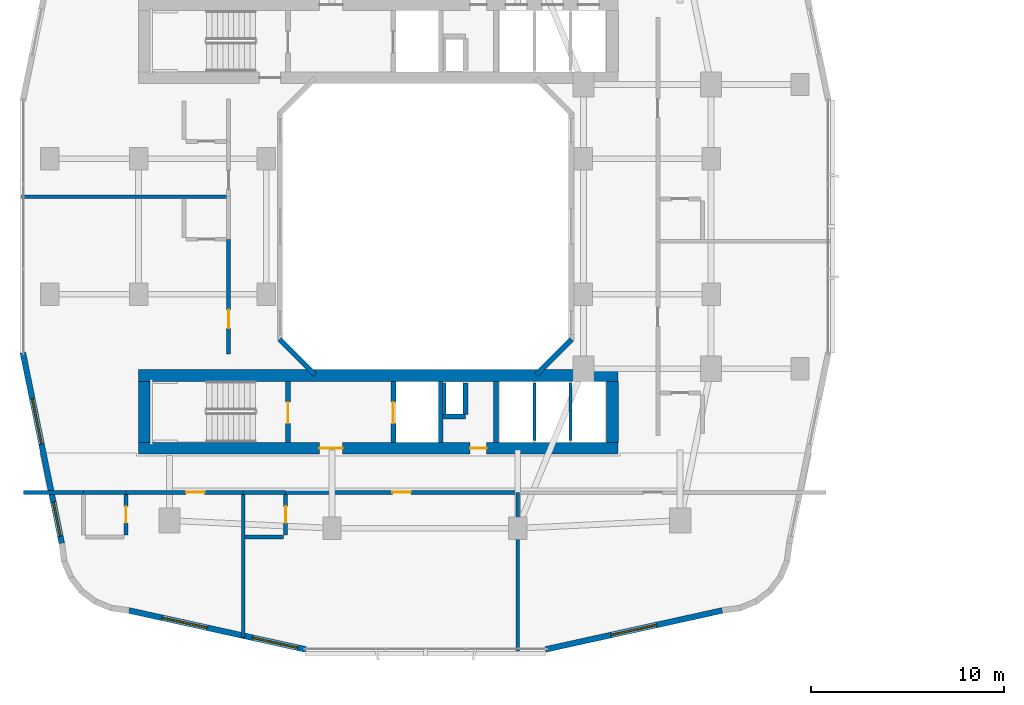
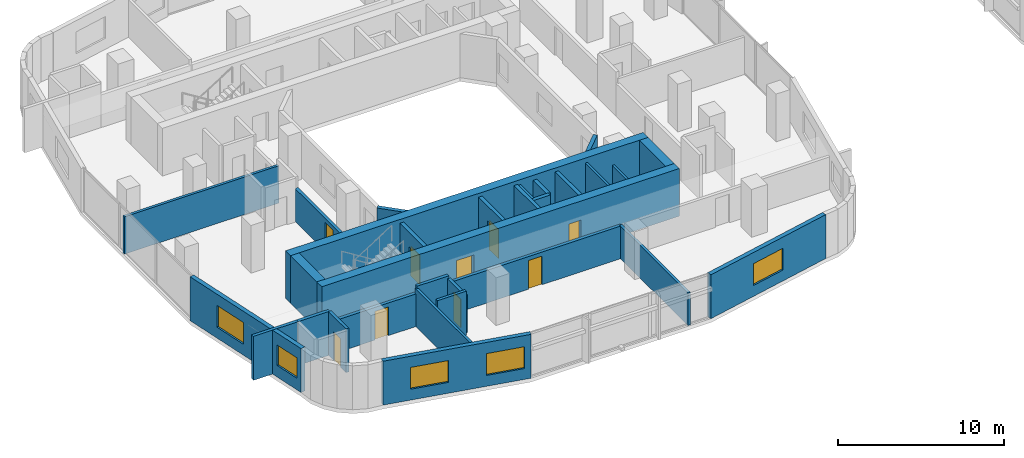
# One storey, part 13 of 26: 30 walls, 9 doors, 5 windows, 14 openings.
"""IFC4 building model written with IfcOpenShell, lengths in metres."""

from ifc_helpers import new_model, si_unit, derived_unit, direction, frame, frame_2d, origin, place, context, subcontext, project, spatial, rectangle, extrude, material, layer, layer_set, type_object, element, fill, save


model = new_model("IFC4")

# Units and contexts
model_context = context("Model", 3, precision=1e-05, world=origin(), true_north=direction((0.0, 1.0)))
body_context = subcontext(model_context, "Body", "Model", "MODEL_VIEW")
ifc_project = project(units=[si_unit("LENGTHUNIT", "METRE"), si_unit("AREAUNIT", "SQUARE_METRE"), si_unit("VOLUMEUNIT", "CUBIC_METRE"), si_unit("PLANEANGLEUNIT", "RADIAN"), si_unit("MASSUNIT", "GRAM", prefix="KILO"), derived_unit("THERMALTRANSMITTANCEUNIT", [(si_unit("POWERUNIT", "WATT"), 1), (si_unit("LENGTHUNIT", "METRE"), -2), (si_unit("THERMODYNAMICTEMPERATUREUNIT", "KELVIN"), -1)])], contexts=[model_context])

# Site, building, storey
site_placement = place(None, origin())
site = spatial("IfcSite", under=ifc_project, at=site_placement, CompositionType="ELEMENT")
building_placement = place(site_placement, origin())
building = spatial("IfcBuilding", under=site, at=building_placement, Name="Kivonza Crest Hotel", CompositionType="ELEMENT")
storey_placement = place(building_placement, frame((0.0, 0.0, 45.0)))
storey = spatial("IfcBuildingStorey", under=building, at=storey_placement, Name="L11", CompositionType="ELEMENT", Elevation=45.0)

# Walls
ifc_material_1 = material(Name="High-density acoustic masonry inter-tenancy wall", Category="masonry")
ifc_layer_1 = layer(ifc_material_1, 0.179931640625)
ifc_layer_set_1 = layer_set([ifc_layer_1], Name="High-density acoustic masonry inter-tenancy wall")
wall_type_1 = type_object("IfcWallType", Name="WL-ACOU-180", PredefinedType="SOLIDWALL", material=ifc_layer_set_1)
wall_1_placement = place(storey_placement, frame((11.60009765625, 3.756103515625, 0.0), z_axis=(0.0, 0.0, 1.0), x_axis=(0.0, 1.0, 0.0)))
element("IfcWall", 1, at=wall_1_placement, inside=storey, type_object=wall_type_1, Name="L11 interior partition WA-L11-T1S-DIV1", PredefinedType="SOLIDWALL", context=body_context, shape_type="SweptSolid", body=[
    extrude(rectangle(XDim=7.493896484375, YDim=0.179931640625, at=frame_2d((3.7470703125, 0.0))), origin(), (0.0, 0.0, 1.0), 2.7451171875),
])
wall_2_placement = place(storey_placement, frame((25.800048828125, 3.06005859375, 0.0), z_axis=(0.0, 0.0, 1.0), x_axis=(0.0, 1.0, 0.0)))
element("IfcWall", 2, at=wall_2_placement, inside=storey, type_object=wall_type_1, Name="L11 interior partition WA-L11-T1S-DIV2", PredefinedType="SOLIDWALL", context=body_context, shape_type="SweptSolid", body=[
    extrude(rectangle(XDim=8.18994140625, YDim=0.179931640625, at=frame_2d((4.094970703125, 0.0))), origin(), (0.0, 0.0, 1.0), 2.39501953125),
])
wall_3_placement = place(storey_placement, frame((0.139892578125, 26.5400390625, 0.0), z_axis=(0.0, 0.0, 1.0), x_axis=(1.0, 0.0, 0.0)))
element("IfcWall", 3, at=wall_3_placement, inside=storey, type_object=wall_type_1, Name="L11 interior partition WA-L11-T1W-DIV1", PredefinedType="SOLIDWALL", context=body_context, shape_type="SweptSolid", body=[
    extrude(rectangle(XDim=10.710205078125, YDim=0.179931640625, at=frame_2d((5.35498046875, 0.0))), origin(), (0.0, 0.0, 1.0), 2.7451171875),
])
ifc_material_2 = material(Name="Autoclaved aerated concrete blockwork", Category="masonry")
ifc_layer_2 = layer(ifc_material_2, 0.219970703125)
ifc_layer_set_2 = layer_set([ifc_layer_2], Name="Autoclaved aerated concrete blockwork")
wall_type_2 = type_object("IfcWallType", Name="WL-ACOU-220", PredefinedType="SOLIDWALL", material=ifc_layer_set_2)
wall_4_placement = place(storey_placement, frame((0.239990234375, 11.25, 0.0), z_axis=(0.0, 0.0, 1.0), x_axis=(1.0, 0.0, 0.0)))
element("IfcWall", 4, at=wall_4_placement, inside=storey, type_object=wall_type_2, Name="L11 interior partition WA-L11-S03-XCORR", PredefinedType="SOLIDWALL", context=body_context, shape_type="SweptSolid", body=[
    extrude(rectangle(XDim=3.110107421875, YDim=0.219970703125, at=frame_2d((1.55517578125, 0.0))), origin(), (0.0, 0.0, 1.0), 3.219970703125),
])
wall_5_placement = place(storey_placement, frame((3.35009765625, 11.25, 0.0), z_axis=(0.0, 0.0, 1.0), x_axis=(1.0, 0.0, 0.0)))
element("IfcWall", 5, at=wall_5_placement, inside=storey, type_object=wall_type_2, Name="L11 interior partition WA-L11-S03-BCORR", PredefinedType="SOLIDWALL", context=body_context, shape_type="SweptSolid", body=[
    extrude(rectangle(XDim=2.199951171875, YDim=0.219970703125, at=frame_2d((1.10009765625, 0.0))), origin(), (0.0, 0.0, 1.0), 3.219970703125),
])

# Wall, opening, door
wall_6_placement = place(storey_placement, frame((5.550048828125, 11.25, 0.0), z_axis=(0.0, 0.0, 1.0), x_axis=(1.0, 0.0, 0.0)))
wall_6 = element("IfcWall", 6, at=wall_6_placement, inside=storey, type_object=wall_type_2, Name="L11 interior partition WA-L11-S03-MCORR", PredefinedType="SOLIDWALL", context=body_context, shape_type="SweptSolid", body=[
    extrude(rectangle(XDim=6.050048828125, YDim=0.219970703125, at=frame_2d((3.02490234375, 0.0))), origin(), (0.0, 0.0, 1.0), 2.39501953125),
])
opening_1_placement = place(wall_6_placement, frame((3.110107421875, 0.0, 0.0)))
opening_1 = element("IfcOpeningElement", 7, at=opening_1_placement, cuts=wall_6, Name="Opening DU-60", PredefinedType="OPENING", context=body_context, shape_type="SweptSolid", body=[
    extrude(rectangle(XDim=0.949951171875, YDim=2.10009765625, at=frame_2d((0.47509765625, 1.050048828125))), frame((0.0, 0.1201171875, 0.0), z_axis=(0.0, -1.0, 0.0), x_axis=(1.0, 0.0, 0.0)), (0.0, 0.0, 1.0), 0.239990234375),
])
ifc_material_3 = material(Name="Hardwood timber oak", Category="wood")
door_type_1 = type_object("IfcDoorType", Name="DR-UNIT-950", OperationType="NOTDEFINED", PredefinedType="DOOR", material=ifc_material_3)
door_1_placement = place(opening_1_placement, frame((0.949951171875, 0.0, 0.0), z_axis=(0.0, 0.0, 1.0), x_axis=(-1.0, 0.0, 0.0)))
door_1 = element("IfcDoor", 8, at=door_1_placement, inside=storey, type_object=door_type_1, Name="L11 S03 guest unit entrance fire door", OperationType="SINGLE_SWING_LEFT", OverallHeight=2.10009765625, OverallWidth=0.949951171875, PredefinedType="DOOR", context=body_context, shape_type="SweptSolid", body=[
    extrude(rectangle(XDim=0.949951171875, YDim=2.10009765625, at=frame_2d((0.47509765625, 1.050048828125))), frame((0.0, 0.02490234375, 0.0), z_axis=(0.0, -1.0, 0.0), x_axis=(1.0, 0.0, 0.0)), (0.0, 0.0, 1.0), 0.050048828125),
])
fill(opening_1, door_1)

# Wall
wall_7_placement = place(storey_placement, frame((11.60009765625, 11.25, 0.0), z_axis=(0.0, 0.0, 1.0), x_axis=(1.0, 0.0, 0.0)))
element("IfcWall", 9, at=wall_7_placement, inside=storey, type_object=wall_type_2, Name="L11 interior partition WA-L11-S04-BCORR", PredefinedType="SOLIDWALL", context=body_context, shape_type="SweptSolid", body=[
    extrude(rectangle(XDim=2.199951171875, YDim=0.219970703125, at=frame_2d((1.10009765625, 0.0))), origin(), (0.0, 0.0, 1.0), 2.925048828125),
])

# Wall, opening, door
wall_8_placement = place(storey_placement, frame((13.800048828125, 11.25, 0.0), z_axis=(0.0, 0.0, 1.0), x_axis=(1.0, 0.0, 0.0)))
wall_8 = element("IfcWall", 10, at=wall_8_placement, inside=storey, type_object=wall_type_2, Name="L11 interior partition WA-L11-S04-MCORR", PredefinedType="SOLIDWALL", context=body_context, shape_type="SweptSolid", body=[
    extrude(rectangle(XDim=12.0, YDim=0.219970703125, at=frame_2d((6.0, 0.0))), origin(), (0.0, 0.0, 1.0), 2.39501953125),
])
opening_2_placement = place(wall_8_placement, frame((5.52490234375, 0.0, 0.0)))
opening_2 = element("IfcOpeningElement", 11, at=opening_2_placement, cuts=wall_8, Name="Opening DU-60", PredefinedType="OPENING", context=body_context, shape_type="SweptSolid", body=[
    extrude(rectangle(XDim=0.949951171875, YDim=2.10009765625, at=frame_2d((0.47509765625, 1.050048828125))), frame((0.0, 0.1201171875, 0.0), z_axis=(0.0, -1.0, 0.0), x_axis=(1.0, 0.0, 0.0)), (0.0, 0.0, 1.0), 0.239990234375),
])
door_2_placement = place(opening_2_placement, frame((0.949951171875, 0.0, 0.0), z_axis=(0.0, 0.0, 1.0), x_axis=(-1.0, 0.0, 0.0)))
door_2 = element("IfcDoor", 12, at=door_2_placement, inside=storey, type_object=door_type_1, Name="L11 S04 guest unit entrance fire door", OperationType="SINGLE_SWING_RIGHT", OverallHeight=2.10009765625, OverallWidth=0.949951171875, PredefinedType="DOOR", context=body_context, shape_type="SweptSolid", body=[
    extrude(rectangle(XDim=0.949951171875, YDim=2.10009765625, at=frame_2d((0.47509765625, 1.050048828125))), frame((0.0, 0.02490234375, 0.0), z_axis=(0.0, -1.0, 0.0), x_axis=(1.0, 0.0, 0.0)), (0.0, 0.0, 1.0), 0.050048828125),
])
fill(opening_2, door_2)

wall_9_placement = place(storey_placement, frame((10.85009765625, 18.39990234375, 0.0), z_axis=(0.0, 0.0, 1.0), x_axis=(0.0, 1.0, 0.0)))
wall_9 = element("IfcWall", 13, at=wall_9_placement, inside=storey, type_object=wall_type_2, Name="L11 interior partition WA-L11-W05-MCORR", PredefinedType="SOLIDWALL", context=body_context, shape_type="SweptSolid", body=[
    extrude(rectangle(XDim=5.940185546875, YDim=0.219970703125, at=frame_2d((2.97021484375, 0.0))), origin(), (0.0, 0.0, 1.0), 2.39501953125),
])
opening_3_placement = place(wall_9_placement, frame((1.344970703125, 0.0, 0.0)))
opening_3 = element("IfcOpeningElement", 14, at=opening_3_placement, cuts=wall_9, Name="Opening DU-60", PredefinedType="OPENING", context=body_context, shape_type="SweptSolid", body=[
    extrude(rectangle(XDim=0.949951171875, YDim=2.10009765625, at=frame_2d((0.47509765625, 1.050048828125))), frame((0.0, 0.1201171875, 0.0), z_axis=(0.0, -1.0, 0.0), x_axis=(1.0, 0.0, 0.0)), (0.0, 0.0, 1.0), 0.239990234375),
])
door_3_placement = place(opening_3_placement, origin())
door_3 = element("IfcDoor", 15, at=door_3_placement, inside=storey, type_object=door_type_1, Name="L11 W05 guest unit entrance fire door", OperationType="SINGLE_SWING_LEFT", OverallHeight=2.10009765625, OverallWidth=0.949951171875, PredefinedType="DOOR", context=body_context, shape_type="SweptSolid", body=[
    extrude(rectangle(XDim=0.949951171875, YDim=2.10009765625, at=frame_2d((0.47509765625, 1.050048828125))), frame((0.0, 0.02490234375, 0.0), z_axis=(0.0, -1.0, 0.0), x_axis=(1.0, 0.0, 0.0)), (0.0, 0.0, 1.0), 0.050048828125),
])
fill(opening_3, door_3)

# Wall, openings, doors
ifc_material_4 = material(Name="Concrete C60/75", Category="concrete")
ifc_layer_3 = layer(ifc_material_4, 0.60009765625)
ifc_layer_set_3 = layer_set([ifc_layer_3], Name="Concrete C60/75")
wall_type_3 = type_object("IfcWallType", Name="WL-CORE-600", PredefinedType="SHEAR", material=ifc_layer_set_3)
wall_10_placement = place(storey_placement, frame((6.199951171875, 13.5400390625, 0.0), z_axis=(0.0, 0.0, 1.0), x_axis=(1.0, 0.0, 0.0)))
wall_10 = element("IfcWall", 16, at=wall_10_placement, inside=storey, type_object=wall_type_3, Name="Core wall T1-S South L11", PredefinedType="SHEAR", context=body_context, shape_type="SweptSolid", body=[
    extrude(rectangle(XDim=24.800048828125, YDim=0.60009765625, at=frame_2d((12.39990234375, 0.0))), origin(), (0.0, 0.0, 1.0), 3.5),
])
opening_4_placement = place(wall_10_placement, frame((9.35009765625, 0.0, 0.0)))
opening_4 = element("IfcOpeningElement", 17, at=opening_4_placement, cuts=wall_10, Name="Opening DF-60", PredefinedType="OPENING", context=body_context, shape_type="SweptSolid", body=[
    extrude(rectangle(XDim=1.199951171875, YDim=2.14990234375, at=frame_2d((0.60009765625, 1.074951171875))), frame((0.0, 0.31005859375, 0.0), z_axis=(0.0, -1.0, 0.0), x_axis=(1.0, 0.0, 0.0)), (0.0, 0.0, 1.0), 0.6201171875),
])
opening_5_placement = place(wall_10_placement, frame((17.139892578125, 0.0, 0.0)))
opening_5 = element("IfcOpeningElement", 18, at=opening_5_placement, cuts=wall_10, Name="Opening DF-60R", PredefinedType="OPENING", context=body_context, shape_type="SweptSolid", body=[
    extrude(rectangle(XDim=0.85009765625, YDim=2.10009765625, at=frame_2d((0.425048828125, 1.050048828125))), frame((0.0, 0.31005859375, 0.0), z_axis=(0.0, -1.0, 0.0), x_axis=(1.0, 0.0, 0.0)), (0.0, 0.0, 1.0), 0.6201171875),
])
door_type_2 = type_object("IfcDoorType", Name="DR-FD60-1200", OperationType="NOTDEFINED", PredefinedType="DOOR", material=ifc_material_3)
door_4_placement = place(opening_4_placement, frame((1.199951171875, 0.0, 0.0), z_axis=(0.0, 0.0, 1.0), x_axis=(-1.0, 0.0, 0.0)))
door_4 = element("IfcDoor", 19, at=door_4_placement, inside=storey, type_object=door_type_2, Name="L11 T1-S firefighting lobby fire door", OperationType="SINGLE_SWING_LEFT", OverallHeight=2.14990234375, OverallWidth=1.199951171875, PredefinedType="DOOR", context=body_context, shape_type="SweptSolid", body=[
    extrude(rectangle(XDim=1.199951171875, YDim=2.14990234375, at=frame_2d((0.60009765625, 1.074951171875))), frame((0.0, 0.02490234375, 0.0), z_axis=(0.0, -1.0, 0.0), x_axis=(1.0, 0.0, 0.0)), (0.0, 0.0, 1.0), 0.050048828125),
])
fill(opening_4, door_4)
door_type_3 = type_object("IfcDoorType", Name="DR-FD60-850", OperationType="NOTDEFINED", PredefinedType="DOOR", material=ifc_material_3)
door_5_placement = place(opening_5_placement, frame((0.85009765625, 0.0, 0.0), z_axis=(0.0, 0.0, 1.0), x_axis=(-1.0, 0.0, 0.0)))
door_5 = element("IfcDoor", 20, at=door_5_placement, inside=storey, type_object=door_type_3, Name="L11 T1-S core room door", OperationType="SINGLE_SWING_RIGHT", OverallHeight=2.10009765625, OverallWidth=0.85009765625, PredefinedType="DOOR", context=body_context, shape_type="SweptSolid", body=[
    extrude(rectangle(XDim=0.85009765625, YDim=2.10009765625, at=frame_2d((0.425048828125, 1.050048828125))), frame((0.0, 0.02490234375, 0.0), z_axis=(0.0, -1.0, 0.0), x_axis=(1.0, 0.0, 0.0)), (0.0, 0.0, 1.0), 0.050048828125),
])
fill(opening_5, door_5)

# Walls
wall_11_placement = place(storey_placement, frame((6.199951171875, 17.300048828125, 0.0), z_axis=(0.0, 0.0, 1.0), x_axis=(1.0, 0.0, 0.0)))
element("IfcWall", 21, at=wall_11_placement, inside=storey, type_object=wall_type_3, Name="Core wall T1-S North L11", PredefinedType="SHEAR", context=body_context, shape_type="SweptSolid", body=[
    extrude(rectangle(XDim=24.800048828125, YDim=0.60009765625, at=frame_2d((12.39990234375, 0.0))), origin(), (0.0, 0.0, 1.0), 3.5),
])
for number, where, z_axis, x_axis, name in (
    (22, (6.5, 13.840087890625, 0.0), (0.0, 0.0, 1.0), (0.0, 1.0, 0.0), "Core wall T1-S West L11"),
    (23, (30.699951171875, 13.840087890625, 0.0), (0.0, 0.0, 1.0), (0.0, 1.0, 0.0), "Core wall T1-S East L11"),
):
    element("IfcWall", number, at=place(storey_placement, frame(where, z_axis=z_axis, x_axis=x_axis)), inside=storey, type_object=wall_type_3, Name=name, PredefinedType="SHEAR", context=body_context, shape_type="SweptSolid", body=[
        extrude(rectangle(XDim=3.159912109375, YDim=0.60009765625, at=frame_2d((1.580078125, 0.0))), origin(), (0.0, 0.0, 1.0), 3.5),
    ])
ifc_material_5 = material(Name="Precast concrete C40/50", Category="concrete")
ifc_layer_4 = layer(ifc_material_5, 0.260009765625)
ifc_layer_set_4 = layer_set([ifc_layer_4], Name="Precast concrete C40/50")
wall_type_4 = type_object("IfcWallType", Name="WL-EXT-260", PredefinedType="STANDARD", material=ifc_layer_set_4)
wall_12_placement = place(storey_placement, frame((26.761962890625, 17.337890625, 0.0), z_axis=(0.0, 0.0, 1.0), x_axis=(0.707059717605, 0.707153841636, 0.0)))
element("IfcWall", 24, at=wall_12_placement, inside=storey, type_object=wall_type_4, Name="L11 T1 light-well exterior wall 2", PredefinedType="STANDARD", context=body_context, shape_type="SweptSolid", body=[
    extrude(rectangle(XDim=2.59375, YDim=0.260009765625, at=frame_2d((1.296875, 0.0))), origin(), (0.0, 0.0, 1.0), 3.219970703125),
])
wall_13_placement = place(storey_placement, frame((13.48388671875, 19.172119140625, 0.0), z_axis=(0.0, 0.0, 1.0), x_axis=(0.707106781187, -0.707106781187, 0.0)))
element("IfcWall", 25, at=wall_13_placement, inside=storey, type_object=wall_type_4, Name="L11 T1 light-well exterior wall 8", PredefinedType="STANDARD", context=body_context, shape_type="SweptSolid", body=[
    extrude(rectangle(XDim=2.593994140625, YDim=0.260009765625, at=frame_2d((1.296875, 0.0))), origin(), (0.0, 0.0, 1.0), 3.219970703125),
])

# Wall, openings, windows
ifc_layer_5 = layer(ifc_material_5, 0.300048828125)
ifc_layer_set_5 = layer_set([ifc_layer_5], Name="Precast concrete C40/50")
wall_type_5 = type_object("IfcWallType", Name="WL-EXT-300", PredefinedType="STANDARD", material=ifc_layer_set_5)
wall_14_placement = place(storey_placement, frame((5.7041015625, 5.14794921875, 0.0), z_axis=(0.0, 0.0, 1.0), x_axis=(0.9765437942, -0.215318875183, 0.0)))
wall_14 = element("IfcWall", 26, at=wall_14_placement, inside=storey, type_object=wall_type_5, Name="L11 T1 exterior insulated wall 7", PredefinedType="STANDARD", context=body_context, shape_type="SweptSolid", body=[
    extrude(rectangle(XDim=9.353271484375, YDim=0.300048828125, at=frame_2d((4.6767578125, 0.0))), origin(), (0.0, 0.0, 1.0), 3.219970703125),
])
opening_6_placement = place(wall_14_placement, frame((1.75390625, 0.0, 0.800048828125)))
opening_6 = element("IfcOpeningElement", 27, at=opening_6_placement, cuts=wall_14, Name="Opening WN-05", PredefinedType="OPENING", context=body_context, shape_type="SweptSolid", body=[
    extrude(rectangle(XDim=2.39990234375, YDim=1.60009765625, at=frame_2d((1.199951171875, 0.800048828125))), frame((0.0, 0.16015625, 0.0), z_axis=(0.0, -1.0, 0.0), x_axis=(1.0, 0.0, 0.0)), (0.0, 0.0, 1.0), 0.320068359375),
])
opening_7_placement = place(wall_14_placement, frame((6.534912109375, 0.0, 0.800048828125)))
opening_7 = element("IfcOpeningElement", 28, at=opening_7_placement, cuts=wall_14, Name="Opening WN-05", PredefinedType="OPENING", context=body_context, shape_type="SweptSolid", body=[
    extrude(rectangle(XDim=2.39990234375, YDim=1.60009765625, at=frame_2d((1.199951171875, 0.800048828125))), frame((0.0, 0.16015625, 0.0), z_axis=(0.0, -1.0, 0.0), x_axis=(1.0, 0.0, 0.0)), (0.0, 0.0, 1.0), 0.320068359375),
])
ifc_material_6 = material(Name="Thermally broken bronze aluminium and low-E double glazing", Category="aluminium")
window_type_1 = type_object("IfcWindowType", Name="WN-240x160", PartitioningType="TRIPLE_PANEL_VERTICAL", PredefinedType="WINDOW", material=ifc_material_6)
window_1_placement = place(opening_6_placement, origin())
window_1 = element("IfcWindow", 29, at=window_1_placement, inside=storey, type_object=window_type_1, Name="L11 T1 facade window 7 bay 1", OverallHeight=1.60009765625, OverallWidth=2.39990234375, PartitioningType="SINGLE_PANEL", PredefinedType="WINDOW", context=body_context, shape_type="SweptSolid", body=[
    extrude(rectangle(XDim=2.39990234375, YDim=1.60009765625, at=frame_2d((1.199951171875, 0.800048828125))), frame((0.0, 0.030029296875, 0.0), z_axis=(0.0, -1.0, 0.0), x_axis=(1.0, 0.0, 0.0)), (0.0, 0.0, 1.0), 0.06005859375),
])
fill(opening_6, window_1)
window_2_placement = place(opening_7_placement, origin())
window_2 = element("IfcWindow", 30, at=window_2_placement, inside=storey, type_object=window_type_1, Name="L11 T1 facade window 7 bay 2", OverallHeight=1.60009765625, OverallWidth=2.39990234375, PartitioningType="SINGLE_PANEL", PredefinedType="WINDOW", context=body_context, shape_type="SweptSolid", body=[
    extrude(rectangle(XDim=2.39990234375, YDim=1.60009765625, at=frame_2d((1.199951171875, 0.800048828125))), frame((0.0, 0.030029296875, 0.0), z_axis=(0.0, -1.0, 0.0), x_axis=(1.0, 0.0, 0.0)), (0.0, 0.0, 1.0), 0.06005859375),
])
fill(opening_7, window_2)

# Wall, opening, window
wall_15_placement = place(storey_placement, frame((27.241943359375, 3.134033203125, 0.0), z_axis=(0.0, 0.0, 1.0), x_axis=(0.97654500432, 0.215313386808, 0.0)))
wall_15 = element("IfcWall", 31, at=wall_15_placement, inside=storey, type_object=wall_type_5, Name="L11 T1 exterior insulated wall 9", PredefinedType="STANDARD", context=body_context, shape_type="SweptSolid", body=[
    extrude(rectangle(XDim=9.353515625, YDim=0.300048828125, at=frame_2d((4.6767578125, 0.0))), origin(), (0.0, 0.0, 1.0), 3.219970703125),
])
opening_8_placement = place(wall_15_placement, frame((3.47705078125, 0.0, 0.800048828125)))
opening_8 = element("IfcOpeningElement", 32, at=opening_8_placement, cuts=wall_15, Name="Opening WN-05", PredefinedType="OPENING", context=body_context, shape_type="SweptSolid", body=[
    extrude(rectangle(XDim=2.39990234375, YDim=1.60009765625, at=frame_2d((1.199951171875, 0.800048828125))), frame((0.0, 0.16015625, 0.0), z_axis=(0.0, -1.0, 0.0), x_axis=(1.0, 0.0, 0.0)), (0.0, 0.0, 1.0), 0.320068359375),
])
window_3_placement = place(opening_8_placement, origin())
window_3 = element("IfcWindow", 33, at=window_3_placement, inside=storey, type_object=window_type_1, Name="L11 T1 facade window 9", OverallHeight=1.60009765625, OverallWidth=2.39990234375, PartitioningType="SINGLE_PANEL", PredefinedType="WINDOW", context=body_context, shape_type="SweptSolid", body=[
    extrude(rectangle(XDim=2.39990234375, YDim=1.60009765625, at=frame_2d((1.199951171875, 0.800048828125))), frame((0.0, 0.030029296875, 0.0), z_axis=(0.0, -1.0, 0.0), x_axis=(1.0, 0.0, 0.0)), (0.0, 0.0, 1.0), 0.06005859375),
])
fill(opening_8, window_3)

# Wall, openings, windows
wall_16_placement = place(storey_placement, frame((0.216064453125, 18.48388671875, 0.0), z_axis=(0.0, 0.0, 1.0), x_axis=(0.199990901713, -0.979797754249, 0.0)))
wall_16 = element("IfcWall", 34, at=wall_16_placement, inside=storey, type_object=wall_type_5, Name="L11 T1 exterior insulated wall 36", PredefinedType="STANDARD", context=body_context, shape_type="SweptSolid", body=[
    extrude(rectangle(XDim=10.065185546875, YDim=0.300048828125, at=frame_2d((5.03271484375, 0.0))), origin(), (0.0, 0.0, 1.0), 3.219970703125),
])
opening_9_placement = place(wall_16_placement, frame((2.428955078125, 0.0, 0.800048828125)))
opening_9 = element("IfcOpeningElement", 35, at=opening_9_placement, cuts=wall_16, Name="Opening WN-05", PredefinedType="OPENING", context=body_context, shape_type="SweptSolid", body=[
    extrude(rectangle(XDim=2.39990234375, YDim=1.60009765625, at=frame_2d((1.199951171875, 0.800048828125))), frame((0.0, 0.16015625, 0.0), z_axis=(0.0, -1.0, 0.0), x_axis=(1.0, 0.0, 0.0)), (0.0, 0.0, 1.0), 0.320068359375),
])
opening_10_placement = place(wall_16_placement, frame((7.886962890625, 0.0, 0.85009765625)))
opening_10 = element("IfcOpeningElement", 36, at=opening_10_placement, cuts=wall_16, Name="Opening WN-03", PredefinedType="OPENING", context=body_context, shape_type="SweptSolid", body=[
    extrude(rectangle(XDim=1.800048828125, YDim=1.5, at=frame_2d((0.89990234375, 0.75))), frame((0.0, 0.16015625, 0.0), z_axis=(0.0, -1.0, 0.0), x_axis=(1.0, 0.0, 0.0)), (0.0, 0.0, 1.0), 0.320068359375),
])
window_type_2 = type_object("IfcWindowType", Name="WN-180x150", PartitioningType="DOUBLE_PANEL_VERTICAL", PredefinedType="WINDOW", material=ifc_material_6)
window_4_placement = place(opening_10_placement, origin())
window_4 = element("IfcWindow", 37, at=window_4_placement, inside=storey, type_object=window_type_2, Name="L11 T1 facade window 36 bay 2", OverallHeight=1.5, OverallWidth=1.800048828125, PartitioningType="SINGLE_PANEL", PredefinedType="WINDOW", context=body_context, shape_type="SweptSolid", body=[
    extrude(rectangle(XDim=1.800048828125, YDim=1.5, at=frame_2d((0.89990234375, 0.75))), frame((0.0, 0.030029296875, 0.0), z_axis=(0.0, -1.0, 0.0), x_axis=(1.0, 0.0, 0.0)), (0.0, 0.0, 1.0), 0.06005859375),
])
fill(opening_10, window_4)
window_5_placement = place(opening_9_placement, origin())
window_5 = element("IfcWindow", 38, at=window_5_placement, inside=storey, type_object=window_type_1, Name="L11 T1 facade window 36 bay 1", OverallHeight=1.60009765625, OverallWidth=2.39990234375, PartitioningType="SINGLE_PANEL", PredefinedType="WINDOW", context=body_context, shape_type="SweptSolid", body=[
    extrude(rectangle(XDim=2.39990234375, YDim=1.60009765625, at=frame_2d((1.199951171875, 0.800048828125))), frame((0.0, 0.030029296875, 0.0), z_axis=(0.0, -1.0, 0.0), x_axis=(1.0, 0.0, 0.0)), (0.0, 0.0, 1.0), 0.06005859375),
])
fill(opening_9, window_5)

# Walls
ifc_material_7 = material(Name="Concrete blockwork fire-compartment wall", Category="masonry")
ifc_layer_6 = layer(ifc_material_7, 0.25)
ifc_layer_set_6 = layer_set([ifc_layer_6], Name="Concrete blockwork fire-compartment wall")
wall_type_6 = type_object("IfcWallType", Name="WL-FIRE-250", PredefinedType="SOLIDWALL", material=ifc_layer_set_6)
wall_17_placement = place(storey_placement, frame((23.10009765625, 15.280029296875, 0.0), z_axis=(0.0, 0.0, 1.0), x_axis=(0.0, 1.0, 0.0)))
element("IfcWall", 39, at=wall_17_placement, inside=storey, type_object=wall_type_6, Name="L11 interior partition WA-L11-T1-S-MEPR-E", PredefinedType="SOLIDWALL", context=body_context, shape_type="SweptSolid", body=[
    extrude(rectangle(XDim=1.619873046875, YDim=0.25, at=frame_2d((0.81005859375, 0.0))), origin(), (0.0, 0.0, 1.0), 3.219970703125),
])
wall_18_placement = place(storey_placement, frame((21.949951171875, 15.179931640625, 0.0), z_axis=(0.0, 0.0, 1.0), x_axis=(1.0, 0.0, 0.0)))
element("IfcWall", 40, at=wall_18_placement, inside=storey, type_object=wall_type_6, Name="L11 interior partition WA-L11-T1-S-MEPR-H", PredefinedType="SOLIDWALL", context=body_context, shape_type="SweptSolid", body=[
    extrude(rectangle(XDim=1.150146484375, YDim=0.25, at=frame_2d((0.5751953125, 0.0))), origin(), (0.0, 0.0, 1.0), 3.219970703125),
])
ifc_material_8 = material(Name="Twin-stud acoustic gypsum board partition", Category="gypsum")
ifc_layer_7 = layer(ifc_material_8, 0.14990234375)
ifc_layer_set_7 = layer_set([ifc_layer_7], Name="Twin-stud acoustic gypsum board partition")
wall_type_7 = type_object("IfcWallType", Name="WL-PART-150", PredefinedType="PARTITIONING", material=ifc_layer_set_7)
wall_19_placement = place(storey_placement, frame((22.030029296875, 15.280029296875, 0.0), z_axis=(0.0, 0.0, 1.0), x_axis=(0.0, 1.0, 0.0)))
element("IfcWall", 41, at=wall_19_placement, inside=storey, type_object=wall_type_7, Name="L11 interior partition WA-L11-T1-S-MEPR-W", PredefinedType="PARTITIONING", context=body_context, shape_type="SweptSolid", body=[
    extrude(rectangle(XDim=1.619873046875, YDim=0.14990234375, at=frame_2d((0.81005859375, 0.0))), origin(), (0.0, 0.0, 1.0), 3.219970703125),
])
wall_20_placement = place(storey_placement, frame((26.6669921875, 13.93994140625, 0.0), z_axis=(0.0, 0.0, 1.0), x_axis=(0.0, 1.0, 0.0)))
element("IfcWall", 42, at=wall_20_placement, inside=storey, type_object=wall_type_7, Name="L11 interior partition WP-L11-T1-S-BSH-1", PredefinedType="PARTITIONING", context=body_context, shape_type="SweptSolid", body=[
    extrude(rectangle(XDim=2.9599609375, YDim=0.14990234375, at=frame_2d((1.47998046875, 0.0))), origin(), (0.0, 0.0, 1.0), 3.219970703125),
])
wall_21_placement = place(storey_placement, frame((28.532958984375, 13.93994140625, 0.0), z_axis=(0.0, 0.0, 1.0), x_axis=(0.0, 1.0, 0.0)))
element("IfcWall", 43, at=wall_21_placement, inside=storey, type_object=wall_type_7, Name="L11 interior partition WP-L11-T1-S-BSH-2", PredefinedType="PARTITIONING", context=body_context, shape_type="SweptSolid", body=[
    extrude(rectangle(XDim=2.9599609375, YDim=0.14990234375, at=frame_2d((1.47998046875, 0.0))), origin(), (0.0, 0.0, 1.0), 2.39501953125),
])

# Wall, opening, door
ifc_material_9 = material(Name="Moisture-resistant plumbing chase partition wall", Category="gypsum")
ifc_layer_8 = layer(ifc_material_9, 0.199951171875)
ifc_layer_set_8 = layer_set([ifc_layer_8], Name="Moisture-resistant plumbing chase partition wall")
wall_type_8 = type_object("IfcWallType", Name="WL-PLUMB-200", PredefinedType="PLUMBINGWALL", material=ifc_layer_set_8)
wall_22_placement = place(storey_placement, frame((5.550048828125, 9.050048828125, 0.0), z_axis=(0.0, 0.0, 1.0), x_axis=(0.0, 1.0, 0.0)))
wall_22 = element("IfcWall", 44, at=wall_22_placement, inside=storey, type_object=wall_type_8, Name="L11 interior partition WW-L11-S03-BV", PredefinedType="PLUMBINGWALL", context=body_context, shape_type="SweptSolid", body=[
    extrude(rectangle(XDim=2.099853515625, YDim=0.199951171875, at=frame_2d((1.0498046875, 0.0))), origin(), (0.0, 0.0, 1.0), 3.219970703125),
])
opening_11_placement = place(wall_22_placement, frame((0.625, 0.0, 0.0)))
opening_11 = element("IfcOpeningElement", 45, at=opening_11_placement, cuts=wall_22, Name="Opening DI-85", PredefinedType="OPENING", context=body_context, shape_type="SweptSolid", body=[
    extrude(rectangle(XDim=0.85009765625, YDim=2.10009765625, at=frame_2d((0.425048828125, 1.050048828125))), frame((0.0, 0.10986328125, 0.0), z_axis=(0.0, -1.0, 0.0), x_axis=(1.0, 0.0, 0.0)), (0.0, 0.0, 1.0), 0.219970703125),
])
door_type_4 = type_object("IfcDoorType", Name="DR-INT-850", OperationType="NOTDEFINED", PredefinedType="DOOR", material=ifc_material_3)
door_6_placement = place(opening_11_placement, frame((0.85009765625, 0.0, 0.0), z_axis=(0.0, 0.0, 1.0), x_axis=(-1.0, 0.0, 0.0)))
door_6 = element("IfcDoor", 46, at=door_6_placement, inside=storey, type_object=door_type_4, Name="L11 S03 en-suite bathroom door", OperationType="SINGLE_SWING_RIGHT", OverallHeight=2.10009765625, OverallWidth=0.85009765625, PredefinedType="DOOR", context=body_context, shape_type="SweptSolid", body=[
    extrude(rectangle(XDim=0.85009765625, YDim=2.10009765625, at=frame_2d((0.425048828125, 1.050048828125))), frame((0.0, 0.02490234375, 0.0), z_axis=(0.0, -1.0, 0.0), x_axis=(1.0, 0.0, 0.0)), (0.0, 0.0, 1.0), 0.050048828125),
])
fill(opening_11, door_6)

wall_23_placement = place(storey_placement, frame((13.800048828125, 9.050048828125, 0.0), z_axis=(0.0, 0.0, 1.0), x_axis=(0.0, 1.0, 0.0)))
wall_23 = element("IfcWall", 47, at=wall_23_placement, inside=storey, type_object=wall_type_8, Name="L11 interior partition WW-L11-S04-BV", PredefinedType="PLUMBINGWALL", context=body_context, shape_type="SweptSolid", body=[
    extrude(rectangle(XDim=2.099853515625, YDim=0.199951171875, at=frame_2d((1.0498046875, 0.0))), origin(), (0.0, 0.0, 1.0), 2.7451171875),
])
opening_12_placement = place(wall_23_placement, frame((0.625, 0.0, 0.0)))
opening_12 = element("IfcOpeningElement", 48, at=opening_12_placement, cuts=wall_23, Name="Opening DI-85", PredefinedType="OPENING", context=body_context, shape_type="SweptSolid", body=[
    extrude(rectangle(XDim=0.85009765625, YDim=2.10009765625, at=frame_2d((0.425048828125, 1.050048828125))), frame((0.0, 0.10986328125, 0.0), z_axis=(0.0, -1.0, 0.0), x_axis=(1.0, 0.0, 0.0)), (0.0, 0.0, 1.0), 0.219970703125),
])
door_7_placement = place(opening_12_placement, frame((0.85009765625, 0.0, 0.0), z_axis=(0.0, 0.0, 1.0), x_axis=(-1.0, 0.0, 0.0)))
door_7 = element("IfcDoor", 49, at=door_7_placement, inside=storey, type_object=door_type_4, Name="L11 S04 en-suite bathroom door", OperationType="SINGLE_SWING_LEFT", OverallHeight=2.10009765625, OverallWidth=0.85009765625, PredefinedType="DOOR", context=body_context, shape_type="SweptSolid", body=[
    extrude(rectangle(XDim=0.85009765625, YDim=2.10009765625, at=frame_2d((0.425048828125, 1.050048828125))), frame((0.0, 0.02490234375, 0.0), z_axis=(0.0, -1.0, 0.0), x_axis=(1.0, 0.0, 0.0)), (0.0, 0.0, 1.0), 0.050048828125),
])
fill(opening_12, door_7)

# Wall
wall_24_placement = place(storey_placement, frame((11.699951171875, 8.949951171875, 0.0), z_axis=(0.0, 0.0, 1.0), x_axis=(1.0, 0.0, 0.0)))
element("IfcWall", 50, at=wall_24_placement, inside=storey, type_object=wall_type_8, Name="L11 interior partition WW-L11-S04-BH", PredefinedType="PLUMBINGWALL", context=body_context, shape_type="SweptSolid", body=[
    extrude(rectangle(XDim=2.0, YDim=0.199951171875, at=frame_2d((1.0, 0.0))), origin(), (0.0, 0.0, 1.0), 3.219970703125),
])

# Wall, opening, door
ifc_material_10 = material(Name="Concrete C50/60", Category="concrete")
ifc_layer_9 = layer(ifc_material_10, 0.25)
ifc_layer_set_9 = layer_set([ifc_layer_9], Name="Concrete C50/60")
wall_type_9 = type_object("IfcWallType", Name="WL-SHAFT-250", PredefinedType="STANDARD", material=ifc_layer_set_9)
wall_25_placement = place(storey_placement, frame((13.925048828125, 13.840087890625, 0.0), z_axis=(0.0, 0.0, 1.0), x_axis=(0.0, 1.0, 0.0)))
wall_25 = element("IfcWall", 51, at=wall_25_placement, inside=storey, type_object=wall_type_9, Name="Core shaft wall T1-S STAIR L11", PredefinedType="STANDARD", context=body_context, shape_type="SweptSolid", body=[
    extrude(rectangle(XDim=3.159912109375, YDim=0.25, at=frame_2d((1.580078125, 0.0))), origin(), (0.0, 0.0, 1.0), 3.219970703125),
])
opening_13_placement = place(wall_25_placement, frame((0.97998046875, 0.0, 0.0)))
opening_13 = element("IfcOpeningElement", 52, at=opening_13_placement, cuts=wall_25, Name="Opening DF-120", PredefinedType="OPENING", context=body_context, shape_type="SweptSolid", body=[
    extrude(rectangle(XDim=1.10009765625, YDim=2.14990234375, at=frame_2d((0.550048828125, 1.074951171875))), frame((0.0, 0.135009765625, 0.0), z_axis=(0.0, -1.0, 0.0), x_axis=(1.0, 0.0, 0.0)), (0.0, 0.0, 1.0), 0.27001953125),
])
ifc_material_11 = material(Name="Galvanised steel", Category="steel")
door_type_5 = type_object("IfcDoorType", Name="DR-FD120-1100", OperationType="NOTDEFINED", PredefinedType="DOOR", material=ifc_material_11)
door_8_placement = place(opening_13_placement, frame((1.10009765625, 0.0, 0.0), z_axis=(0.0, 0.0, 1.0), x_axis=(-1.0, 0.0, 0.0)))
door_8 = element("IfcDoor", 53, at=door_8_placement, inside=storey, type_object=door_type_5, Name="L11 T1-S stair fire door", OperationType="SINGLE_SWING_RIGHT", OverallHeight=2.14990234375, OverallWidth=1.10009765625, PredefinedType="DOOR", context=body_context, shape_type="SweptSolid", body=[
    extrude(rectangle(XDim=1.10009765625, YDim=2.14990234375, at=frame_2d((0.550048828125, 1.074951171875))), frame((0.0, 0.02490234375, 0.0), z_axis=(0.0, -1.0, 0.0), x_axis=(1.0, 0.0, 0.0)), (0.0, 0.0, 1.0), 0.050048828125),
])
fill(opening_13, door_8)

wall_26_placement = place(storey_placement, frame((19.375, 13.840087890625, 0.0), z_axis=(0.0, 0.0, 1.0), x_axis=(0.0, 1.0, 0.0)))
wall_26 = element("IfcWall", 54, at=wall_26_placement, inside=storey, type_object=wall_type_9, Name="Core shaft wall T1-S FFL-W L11", PredefinedType="STANDARD", context=body_context, shape_type="SweptSolid", body=[
    extrude(rectangle(XDim=3.159912109375, YDim=0.25, at=frame_2d((1.580078125, 0.0))), origin(), (0.0, 0.0, 1.0), 3.219970703125),
])
opening_14_placement = place(wall_26_placement, frame((0.97998046875, 0.0, 0.0)))
opening_14 = element("IfcOpeningElement", 55, at=opening_14_placement, cuts=wall_26, Name="Opening LD-120", PredefinedType="OPENING", context=body_context, shape_type="SweptSolid", body=[
    extrude(rectangle(XDim=1.10009765625, YDim=2.14990234375, at=frame_2d((0.550048828125, 1.074951171875))), frame((0.0, 0.135009765625, 0.0), z_axis=(0.0, -1.0, 0.0), x_axis=(1.0, 0.0, 0.0)), (0.0, 0.0, 1.0), 0.27001953125),
])
ifc_material_12 = material(Name="Stainless steel", Category="steel")
door_type_6 = type_object("IfcDoorType", Name="DR-LD120-1100", OperationType="NOTDEFINED", PredefinedType="DOOR", material=ifc_material_12)
door_9_placement = place(opening_14_placement, origin())
door_9 = element("IfcDoor", 56, at=door_9_placement, inside=storey, type_object=door_type_6, Name="L11 FFL-T1-S firefighting lift sliding landing door", OperationType="DOUBLE_DOOR_SLIDING", OverallHeight=2.14990234375, OverallWidth=1.10009765625, PredefinedType="DOOR", context=body_context, shape_type="SweptSolid", body=[
    extrude(rectangle(XDim=1.10009765625, YDim=2.14990234375, at=frame_2d((0.550048828125, 1.074951171875))), frame((0.0, 0.02490234375, 0.0), z_axis=(0.0, -1.0, 0.0), x_axis=(1.0, 0.0, 0.0)), (0.0, 0.0, 1.0), 0.050048828125),
])
fill(opening_14, door_9)

# Walls
for number, where, z_axis, x_axis, name in (
    (57, (21.824951171875, 13.840087890625, 0.0), (0.0, 0.0, 1.0), (0.0, 1.0, 0.0), "Core shaft wall T1-S FFL-E L11"),
    (58, (24.675048828125, 13.840087890625, 0.0), (0.0, 0.0, 1.0), (0.0, 1.0, 0.0), "Core shaft wall T1-S BANK-W L11"),
):
    element("IfcWall", number, at=place(storey_placement, frame(where, z_axis=z_axis, x_axis=x_axis)), inside=storey, type_object=wall_type_9, Name=name, PredefinedType="STANDARD", context=body_context, shape_type="SweptSolid", body=[
        extrude(rectangle(XDim=3.159912109375, YDim=0.25, at=frame_2d((1.580078125, 0.0))), origin(), (0.0, 0.0, 1.0), 3.219970703125),
    ])

save(model, "model.ifc")
